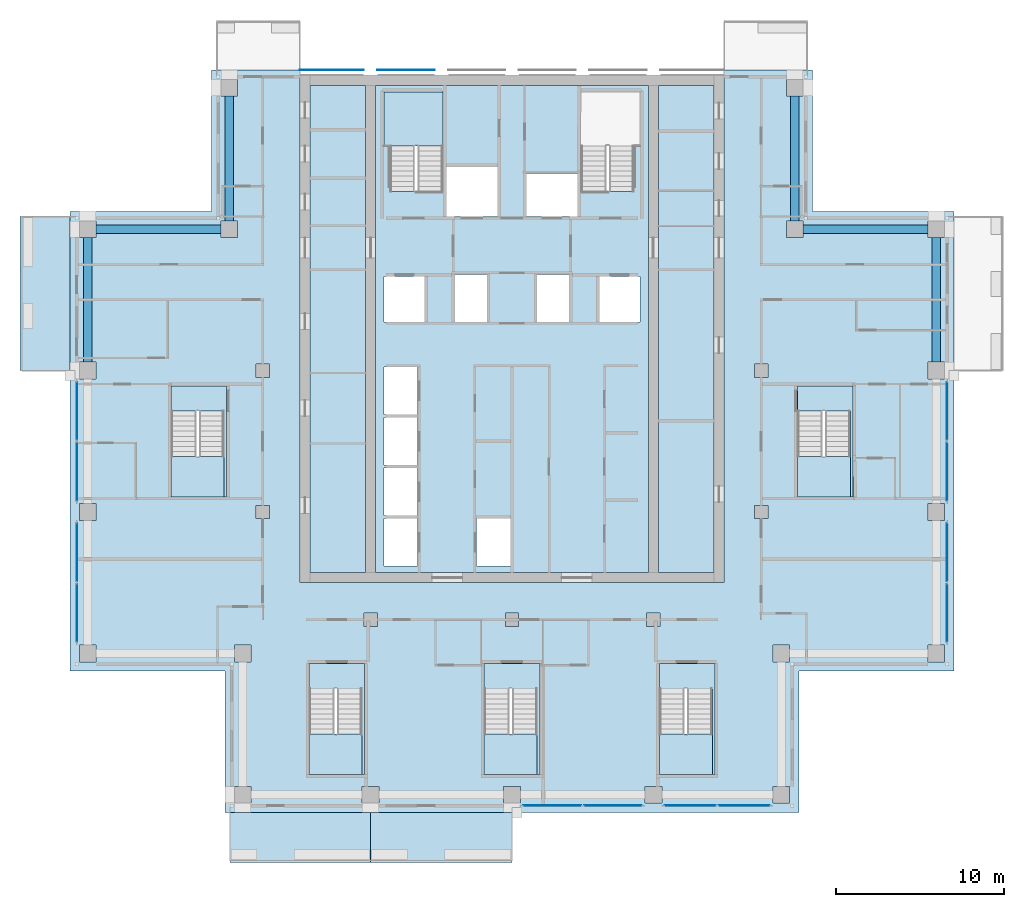
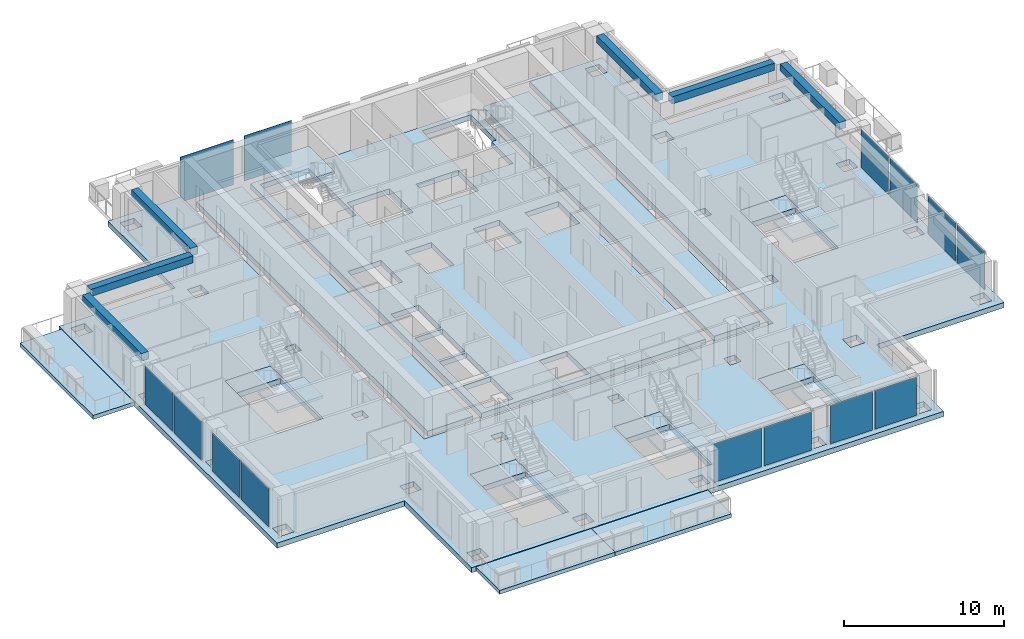
# One storey, part 5 of 15: 18 slabs, 14 plates, 6 beams, 12 elements without a shape of their own.
"""IFC4 building model written with IfcOpenShell, lengths in metres."""

from ifc_helpers import new_model, si_unit, direction, frame, origin, origin_2d, place, context, subcontext, project, spatial, polyline, rectangle, outline, extrude, material, layer, layer_set, material_profile, profile_set, type_object, element, aggregate, save


model = new_model("IFC4")

# Units and contexts
model_context = context("Model", 3, precision=1e-05, world=origin(), true_north=direction((0.0, 1.0)))
body_context = subcontext(model_context, "Body", "Model", "MODEL_VIEW")
ifc_project = project(units=[si_unit("LENGTHUNIT", "METRE"), si_unit("AREAUNIT", "SQUARE_METRE"), si_unit("VOLUMEUNIT", "CUBIC_METRE"), si_unit("PLANEANGLEUNIT", "RADIAN"), si_unit("MASSUNIT", "GRAM", prefix="KILO")], contexts=[model_context])

# Site, building, storey
site_placement = place(None, origin())
site = spatial("IfcSite", under=ifc_project, at=site_placement, CompositionType="ELEMENT")
building_placement = place(site_placement, origin())
building = spatial("IfcBuilding", under=site, at=building_placement, Name="Vermilion Ogive Tower", CompositionType="ELEMENT")
storey_placement = place(building_placement, frame((0.0, 0.0, 210.050048828125)))
storey = spatial("IfcBuildingStorey", under=building, at=storey_placement, Name="L55", CompositionType="ELEMENT", Elevation=210.050048828125)

# Beams
ifc_material_1 = material(Name="Concrete B45", Category="concrete")
ifc_material_profile = material_profile(ifc_material_1, rectangle(XDim=0.5, YDim=0.550048828125, at=origin_2d()), Name="500 x 550")
ifc_profile_set = profile_set([ifc_material_profile], Name="Concrete B45")
beam_type = type_object("IfcBeamType", Name="Edge beam 500 x 550 B45", PredefinedType="BEAM", material=ifc_profile_set)
beam_1_placement = place(storey_placement, frame((25.199951171875, 4.699951171875, 2.77490234375), z_axis=(0.0, 1.0, 0.0), x_axis=(-1.0, 0.0, 0.0)))
element("IfcBeam", 1, at=beam_1_placement, inside=storey, type_object=beam_type, Name="L55-EB-9", PredefinedType="BEAM", context=body_context, shape_type="SweptSolid", body=[
    extrude(rectangle(XDim=0.5, YDim=0.550048828125, at=origin_2d()), origin(), (0.0, 0.0, 1.0), 7.400146484375),
])
for number, where, z_axis, x_axis, name in (
    (2, (24.699951171875, 12.60009765625, 2.77490234375), (-1.0, 0.0, 0.0), (0.0, -1.0, 0.0), "L55-EB-10"),
    (3, (16.800048828125, 13.10009765625, 2.77490234375), (0.0, 1.0, 0.0), (-1.0, 0.0, 0.0), "L55-EB-11"),
    (4, (-16.800048828125, 20.5, 2.77490234375), (0.0, -1.0, 0.0), (1.0, 0.0, 0.0), "L55-EB-12"),
    (5, (-17.300048828125, 12.60009765625, 2.77490234375), (-1.0, 0.0, 0.0), (0.0, -1.0, 0.0), "L55-EB-13"),
):
    element("IfcBeam", number, at=place(storey_placement, frame(where, z_axis=z_axis, x_axis=x_axis)), inside=storey, type_object=beam_type, Name=name, PredefinedType="BEAM", context=body_context, shape_type="SweptSolid", body=[
        extrude(rectangle(XDim=0.5, YDim=0.550048828125, at=origin_2d()), origin(), (0.0, 0.0, 1.0), 7.39990234375),
    ])
beam_2_placement = place(storey_placement, frame((-25.199951171875, 12.10009765625, 2.77490234375), z_axis=(0.0, -1.0, 0.0), x_axis=(1.0, 0.0, 0.0)))
element("IfcBeam", 6, at=beam_2_placement, inside=storey, type_object=beam_type, Name="L55-EB-14", PredefinedType="BEAM", context=body_context, shape_type="SweptSolid", body=[
    extrude(rectangle(XDim=0.5, YDim=0.550048828125, at=origin_2d()), origin(), (0.0, 0.0, 1.0), 7.400146484375),
])

# Slabs
ifc_material_2 = material(Name="Concrete B40", Category="concrete")
ifc_layer_1 = layer(ifc_material_2, 0.300048828125)
ifc_layer_set_1 = layer_set([ifc_layer_1], Name="Balcony slab")
slab_type_1 = type_object("IfcSlabType", Name="Balcony slab", PredefinedType="FLOOR", material=ifc_layer_set_1)
slab_1_placement = place(storey_placement, frame((0.0, 0.0, -0.340087890625)))
element("IfcSlab", 7, at=slab_1_placement, inside=storey, type_object=slab_type_1, Name="Balcony slab S01", PredefinedType="FLOOR", context=body_context, shape_type="SweptSolid", body=[
    extrude(outline(polyline([(-16.75, -25.030029296875), (-8.39990234375, -25.030029296875), (-8.39990234375, -22.050048828125), (-16.75, -22.050048828125), (-16.75, -25.030029296875)])), origin(), (0.0, 0.0, 1.0), 0.300048828125),
])
slab_2_placement = place(storey_placement, frame((0.0, 0.0, -0.340087890625)))
element("IfcSlab", 8, at=slab_2_placement, inside=storey, type_object=slab_type_1, Name="Balcony slab S02", PredefinedType="FLOOR", context=body_context, shape_type="SweptSolid", body=[
    extrude(outline(polyline([(-8.39990234375, -25.030029296875), (0.0, -25.030029296875), (0.0, -22.050048828125), (-8.39990234375, -22.050048828125), (-8.39990234375, -25.030029296875)])), origin(), (0.0, 0.0, 1.0), 0.300048828125),
])
slab_3_placement = place(storey_placement, frame((0.0, 0.0, -0.340087890625)))
element("IfcSlab", 9, at=slab_3_placement, inside=storey, type_object=slab_type_1, Name="Balcony slab W01", PredefinedType="FLOOR", context=body_context, shape_type="SweptSolid", body=[
    extrude(outline(polyline([(-29.22998046875, 13.35009765625), (-29.22998046875, 4.199951171875), (-26.25, 4.199951171875), (-26.25, 13.35009765625), (-29.22998046875, 13.35009765625)])), origin(), (0.0, 0.0, 1.0), 0.300048828125),
])

# Curtain wall, plates
ifc_material_3 = material(Name="Low-iron laminated glazing in aluminium frame", Category="aluminium")
curtain_wall_type = type_object("IfcCurtainWallType", Name="Curtain wall CW7", PredefinedType="NOTDEFINED", material=ifc_material_3)
curtain_wall_1_placement = place(storey_placement, origin())
curtain_wall_1 = element("IfcCurtainWall", 10, at=curtain_wall_1_placement, inside=storey, type_object=curtain_wall_type, Name="Glazed skin S3", PredefinedType="NOTDEFINED")
ifc_material_4 = material(Name="Low-iron laminated glazing in aluminium frame", Category="aluminium")
ifc_layer_2 = layer(ifc_material_4, 0.031982421875)
ifc_layer_set_2 = layer_set([ifc_layer_2], Name="CW7 glazing panel 32")
plate_type_1 = type_object("IfcPlateType", Name="CW7 glazing panel 32", PredefinedType="CURTAIN_PANEL", material=ifc_layer_set_2)
plate_1_placement = place(storey_placement, frame((2.39501953125, -21.64990234375, 0.06005859375), z_axis=(0.0, 0.0, 1.0), x_axis=(1.0, 0.0, 0.0)))
plate_1 = element("IfcPlate", 11, at=plate_1_placement, type_object=plate_type_1, Name="CW7-S3 panel 1.1", PredefinedType="CURTAIN_PANEL", context=body_context, shape_type="SweptSolid", body=[
    extrude(rectangle(XDim=3.429931640625, YDim=0.031982421875, at=origin_2d()), origin(), (0.0, 0.0, 1.0), 2.929931640625),
])
plate_2_placement = place(storey_placement, frame((6.0048828125, -21.64990234375, 0.06005859375), z_axis=(0.0, 0.0, 1.0), x_axis=(1.0, 0.0, 0.0)))
plate_2 = element("IfcPlate", 12, at=plate_2_placement, type_object=plate_type_1, Name="CW7-S3 panel 2.1", PredefinedType="CURTAIN_PANEL", context=body_context, shape_type="SweptSolid", body=[
    extrude(rectangle(XDim=3.429931640625, YDim=0.031982421875, at=origin_2d()), origin(), (0.0, 0.0, 1.0), 2.929931640625),
])
aggregate(curtain_wall_1, [plate_1, plate_2])

curtain_wall_2_placement = place(storey_placement, origin())
curtain_wall_2 = element("IfcCurtainWall", 13, at=curtain_wall_2_placement, inside=storey, type_object=curtain_wall_type, Name="Glazed skin S4", PredefinedType="NOTDEFINED")
plate_3_placement = place(storey_placement, frame((10.594970703125, -21.64990234375, 0.06005859375), z_axis=(0.0, 0.0, 1.0), x_axis=(1.0, 0.0, 0.0)))
plate_3 = element("IfcPlate", 14, at=plate_3_placement, type_object=plate_type_1, Name="CW7-S4 panel 1.1", PredefinedType="CURTAIN_PANEL", context=body_context, shape_type="SweptSolid", body=[
    extrude(rectangle(XDim=3.030029296875, YDim=0.031982421875, at=origin_2d()), origin(), (0.0, 0.0, 1.0), 2.929931640625),
])
plate_4_placement = place(storey_placement, frame((13.804931640625, -21.64990234375, 0.06005859375), z_axis=(0.0, 0.0, 1.0), x_axis=(1.0, 0.0, 0.0)))
plate_4 = element("IfcPlate", 15, at=plate_4_placement, type_object=plate_type_1, Name="CW7-S4 panel 2.1", PredefinedType="CURTAIN_PANEL", context=body_context, shape_type="SweptSolid", body=[
    extrude(rectangle(XDim=3.030029296875, YDim=0.031982421875, at=origin_2d()), origin(), (0.0, 0.0, 1.0), 2.929931640625),
])
aggregate(curtain_wall_2, [plate_3, plate_4])

curtain_wall_3_placement = place(storey_placement, origin())
curtain_wall_3 = element("IfcCurtainWall", 16, at=curtain_wall_3_placement, inside=storey, type_object=curtain_wall_type, Name="Glazed skin E1", PredefinedType="NOTDEFINED")
plate_5_placement = place(storey_placement, frame((25.85009765625, -10.205078125, 0.06005859375), z_axis=(0.0, 0.0, 1.0), x_axis=(0.0, 1.0, 0.0)))
plate_5 = element("IfcPlate", 17, at=plate_5_placement, type_object=plate_type_1, Name="CW7-E1 panel 1.1", PredefinedType="CURTAIN_PANEL", context=body_context, shape_type="SweptSolid", body=[
    extrude(rectangle(XDim=3.429931640625, YDim=0.031982421875, at=origin_2d()), origin(), (0.0, 0.0, 1.0), 2.929931640625),
])
plate_6_placement = place(storey_placement, frame((25.85009765625, -6.594970703125, 0.06005859375), z_axis=(0.0, 0.0, 1.0), x_axis=(0.0, 1.0, 0.0)))
plate_6 = element("IfcPlate", 18, at=plate_6_placement, type_object=plate_type_1, Name="CW7-E1 panel 2.1", PredefinedType="CURTAIN_PANEL", context=body_context, shape_type="SweptSolid", body=[
    extrude(rectangle(XDim=3.429931640625, YDim=0.031982421875, at=origin_2d()), origin(), (0.0, 0.0, 1.0), 2.929931640625),
])
aggregate(curtain_wall_3, [plate_5, plate_6])

curtain_wall_4_placement = place(storey_placement, origin())
curtain_wall_4 = element("IfcCurtainWall", 19, at=curtain_wall_4_placement, inside=storey, type_object=curtain_wall_type, Name="Glazed skin E2", PredefinedType="NOTDEFINED")
plate_7_placement = place(storey_placement, frame((25.85009765625, -1.804931640625, 0.06005859375), z_axis=(0.0, 0.0, 1.0), x_axis=(0.0, 1.0, 0.0)))
plate_7 = element("IfcPlate", 20, at=plate_7_placement, type_object=plate_type_1, Name="CW7-E2 panel 1.1", PredefinedType="CURTAIN_PANEL", context=body_context, shape_type="SweptSolid", body=[
    extrude(rectangle(XDim=3.429931640625, YDim=0.031982421875, at=origin_2d()), origin(), (0.0, 0.0, 1.0), 2.929931640625),
])
plate_8_placement = place(storey_placement, frame((25.85009765625, 1.804931640625, 0.06005859375), z_axis=(0.0, 0.0, 1.0), x_axis=(0.0, 1.0, 0.0)))
plate_8 = element("IfcPlate", 21, at=plate_8_placement, type_object=plate_type_1, Name="CW7-E2 panel 2.1", PredefinedType="CURTAIN_PANEL", context=body_context, shape_type="SweptSolid", body=[
    extrude(rectangle(XDim=3.429931640625, YDim=0.031982421875, at=origin_2d()), origin(), (0.0, 0.0, 1.0), 2.929931640625),
])
aggregate(curtain_wall_4, [plate_7, plate_8])

curtain_wall_5_placement = place(storey_placement, origin())
curtain_wall_5 = element("IfcCurtainWall", 22, at=curtain_wall_5_placement, inside=storey, type_object=curtain_wall_type, Name="Glazed skin W2", PredefinedType="NOTDEFINED")
plate_9_placement = place(storey_placement, frame((-25.85009765625, 1.804931640625, 0.06005859375), z_axis=(0.0, 0.0, 1.0), x_axis=(0.0, -1.0, 0.0)))
plate_9 = element("IfcPlate", 23, at=plate_9_placement, type_object=plate_type_1, Name="CW7-W2 panel 1.1", PredefinedType="CURTAIN_PANEL", context=body_context, shape_type="SweptSolid", body=[
    extrude(rectangle(XDim=3.429931640625, YDim=0.031982421875, at=origin_2d()), origin(), (0.0, 0.0, 1.0), 2.929931640625),
])
plate_10_placement = place(storey_placement, frame((-25.85009765625, -1.804931640625, 0.06005859375), z_axis=(0.0, 0.0, 1.0), x_axis=(0.0, -1.0, 0.0)))
plate_10 = element("IfcPlate", 24, at=plate_10_placement, type_object=plate_type_1, Name="CW7-W2 panel 2.1", PredefinedType="CURTAIN_PANEL", context=body_context, shape_type="SweptSolid", body=[
    extrude(rectangle(XDim=3.429931640625, YDim=0.031982421875, at=origin_2d()), origin(), (0.0, 0.0, 1.0), 2.929931640625),
])
aggregate(curtain_wall_5, [plate_9, plate_10])

curtain_wall_6_placement = place(storey_placement, origin())
curtain_wall_6 = element("IfcCurtainWall", 25, at=curtain_wall_6_placement, inside=storey, type_object=curtain_wall_type, Name="Glazed skin W3", PredefinedType="NOTDEFINED")
plate_11_placement = place(storey_placement, frame((-25.85009765625, -6.594970703125, 0.06005859375), z_axis=(0.0, 0.0, 1.0), x_axis=(0.0, -1.0, 0.0)))
plate_11 = element("IfcPlate", 26, at=plate_11_placement, type_object=plate_type_1, Name="CW7-W3 panel 1.1", PredefinedType="CURTAIN_PANEL", context=body_context, shape_type="SweptSolid", body=[
    extrude(rectangle(XDim=3.429931640625, YDim=0.031982421875, at=origin_2d()), origin(), (0.0, 0.0, 1.0), 2.929931640625),
])
plate_12_placement = place(storey_placement, frame((-25.85009765625, -10.205078125, 0.06005859375), z_axis=(0.0, 0.0, 1.0), x_axis=(0.0, -1.0, 0.0)))
plate_12 = element("IfcPlate", 27, at=plate_12_placement, type_object=plate_type_1, Name="CW7-W3 panel 2.1", PredefinedType="CURTAIN_PANEL", context=body_context, shape_type="SweptSolid", body=[
    extrude(rectangle(XDim=3.429931640625, YDim=0.031982421875, at=origin_2d()), origin(), (0.0, 0.0, 1.0), 2.929931640625),
])
aggregate(curtain_wall_6, [plate_11, plate_12])

# Slabs
ifc_material_5 = material(Name="Concrete B40", Category="concrete")
ifc_layer_3 = layer(ifc_material_5, 0.39990234375)
ifc_layer_set_3 = layer_set([ifc_layer_3], Name="Core floor slab 400 B40")
slab_type_2 = type_object("IfcSlabType", Name="Core floor slab 400 B40", PredefinedType="FLOOR", material=ifc_layer_set_3)
slab_4_placement = place(storey_placement, frame((0.0, 0.0, -0.400146484375)))
element("IfcSlab", 28, at=slab_4_placement, inside=storey, type_object=slab_type_2, Name="L55-CK-FS1", PredefinedType="FLOOR", context=body_context, shape_type="SweptSolid", body=[
    extrude(outline(polyline([(-11.99609375, 21.14599609375), (-8.7041015625, 21.14599609375), (-8.7041015625, -7.7958984375), (-11.99609375, -7.7958984375), (-11.99609375, 21.14599609375)])), origin(), (0.0, 0.0, 1.0), 0.400146484375),
])
slab_5_placement = place(storey_placement, frame((0.0, 0.0, -0.400146484375)))
element("IfcSlab", 29, at=slab_5_placement, inside=storey, type_object=slab_type_2, Name="L55-CK-FS2", PredefinedType="FLOOR", context=body_context, shape_type="SweptSolid", body=[
    extrude(outline(polyline([(-8.095947265625, -7.7958984375), (8.095947265625, -7.7958984375), (8.095947265625, 21.14599609375), (-8.095947265625, 21.14599609375), (-8.095947265625, -7.7958984375)]), holes=[polyline([(-7.60009765625, -7.39990234375), (-7.60009765625, -4.60009765625), (-5.60009765625, -4.60009765625), (-5.60009765625, -7.39990234375), (-7.60009765625, -7.39990234375)]), polyline([(-7.60009765625, -4.39990234375), (-7.60009765625, -1.60009765625), (-5.60009765625, -1.60009765625), (-5.60009765625, -4.39990234375), (-7.60009765625, -4.39990234375)]), polyline([(-7.60009765625, -1.39990234375), (-7.60009765625, 1.39990234375), (-5.60009765625, 1.39990234375), (-5.60009765625, -1.39990234375), (-7.60009765625, -1.39990234375)]), polyline([(-7.60009765625, 1.60009765625), (-7.60009765625, 4.39990234375), (-5.60009765625, 4.39990234375), (-5.60009765625, 1.60009765625), (-7.60009765625, 1.60009765625)]), polyline([(-7.60009765625, 7.10009765625), (-7.60009765625, 9.800048828125), (-5.199951171875, 9.800048828125), (-5.199951171875, 7.10009765625), (-7.60009765625, 7.10009765625)]), polyline([(-3.39990234375, 9.89990234375), (-1.5, 9.89990234375), (-1.5, 7.10009765625), (-3.39990234375, 7.10009765625), (-3.39990234375, 9.89990234375)]), polyline([(-7.60009765625, 17.550048828125), (-7.60009765625, 20.75), (-4.10009765625, 20.75), (-4.10009765625, 14.85205078125), (-5.60009765625, 14.85205078125), (-5.60009765625, 14.85009765625), (-5.75, 14.85009765625), (-5.75, 14.85205078125), (-7.25, 14.85205078125), (-7.25, 17.550048828125), (-7.60009765625, 17.550048828125)]), polyline([(-2.10009765625, -7.39990234375), (-2.10009765625, -4.60009765625), (-0.10009765625, -4.60009765625), (-0.10009765625, -7.39990234375), (-2.10009765625, -7.39990234375)]), polyline([(5.199951171875, 7.10009765625), (5.199951171875, 9.800048828125), (7.60009765625, 9.800048828125), (7.60009765625, 7.10009765625), (5.199951171875, 7.10009765625)]), polyline([(1.5, 7.10009765625), (1.5, 9.89990234375), (3.39990234375, 9.89990234375), (3.39990234375, 7.10009765625), (1.5, 7.10009765625)]), polyline([(0.85009765625, 13.35009765625), (0.85009765625, 15.89990234375), (3.89990234375, 15.89990234375), (3.89990234375, 13.35009765625), (0.85009765625, 13.35009765625)]), polyline([(-3.89990234375, 16.300048828125), (-0.85009765625, 16.300048828125), (-0.85009765625, 13.35009765625), (-3.89990234375, 13.35009765625), (-3.89990234375, 16.300048828125)]), polyline([(5.75, 14.85009765625), (5.60009765625, 14.85009765625), (5.60009765625, 14.85205078125), (4.10009765625, 14.85205078125), (4.10009765625, 17.550048828125), (4.074951171875, 17.550048828125), (4.074951171875, 20.75), (7.60009765625, 20.75), (7.60009765625, 17.550048828125), (7.25, 17.550048828125), (7.25, 14.85205078125), (5.75, 14.85205078125), (5.75, 14.85009765625)])]), origin(), (0.0, 0.0, 1.0), 0.400146484375),
])
slab_6_placement = place(storey_placement, frame((0.0, 0.0, -0.400146484375)))
element("IfcSlab", 30, at=slab_6_placement, inside=storey, type_object=slab_type_2, Name="L55-CK-FS3", PredefinedType="FLOOR", context=body_context, shape_type="SweptSolid", body=[
    extrude(outline(polyline([(11.99609375, 21.14599609375), (11.99609375, -7.7958984375), (8.7041015625, -7.7958984375), (8.7041015625, 21.14599609375), (11.99609375, 21.14599609375)])), origin(), (0.0, 0.0, 1.0), 0.400146484375),
])
slab_7_placement = place(storey_placement, frame((0.0, 0.0, -0.400146484375)))
element("IfcSlab", 31, at=slab_7_placement, inside=storey, type_object=slab_type_2, Name="L55-SF-ST3-1", PredefinedType="FLOOR", context=body_context, shape_type="SweptSolid", body=[
    extrude(outline(polyline([(-12.050048828125, -13.199951171875), (-12.050048828125, -14.701904296875), (-10.550048828125, -14.701904296875), (-10.550048828125, -14.699951171875), (-10.39990234375, -14.699951171875), (-10.39990234375, -14.701904296875), (-8.89990234375, -14.701904296875), (-8.89990234375, -19.800048828125), (-8.75, -19.800048828125), (-8.75, -13.199951171875), (-12.050048828125, -13.199951171875)])), origin(), (0.0, 0.0, 1.0), 0.400146484375),
])
slab_8_placement = place(storey_placement, frame((0.0, 0.0, -0.400146484375)))
element("IfcSlab", 32, at=slab_8_placement, inside=storey, type_object=slab_type_2, Name="L55-SF-ST4-1", PredefinedType="FLOOR", context=body_context, shape_type="SweptSolid", body=[
    extrude(outline(polyline([(-1.64990234375, -13.199951171875), (-1.64990234375, -14.701904296875), (-0.14990234375, -14.701904296875), (-0.14990234375, -14.699951171875), (0.0, -14.699951171875), (0.0, -14.701904296875), (1.5, -14.701904296875), (1.5, -19.800048828125), (1.64990234375, -19.800048828125), (1.64990234375, -13.199951171875), (-1.64990234375, -13.199951171875)])), origin(), (0.0, 0.0, 1.0), 0.400146484375),
])
slab_9_placement = place(storey_placement, frame((0.0, 0.0, -0.400146484375)))
element("IfcSlab", 33, at=slab_9_placement, inside=storey, type_object=slab_type_2, Name="L55-SF-ST5-1", PredefinedType="FLOOR", context=body_context, shape_type="SweptSolid", body=[
    extrude(outline(polyline([(8.75, -13.199951171875), (8.75, -14.701904296875), (10.25, -14.701904296875), (10.25, -14.699951171875), (10.39990234375, -14.699951171875), (10.39990234375, -14.701904296875), (11.89990234375, -14.701904296875), (11.89990234375, -19.800048828125), (12.050048828125, -19.800048828125), (12.050048828125, -13.199951171875), (8.75, -13.199951171875)])), origin(), (0.0, 0.0, 1.0), 0.400146484375),
])
slab_10_placement = place(storey_placement, frame((0.0, 0.0, -0.400146484375)))
element("IfcSlab", 34, at=slab_10_placement, inside=storey, type_object=slab_type_2, Name="L55-SF-ST8-1", PredefinedType="FLOOR", context=body_context, shape_type="SweptSolid", body=[
    extrude(outline(polyline([(16.949951171875, 3.300048828125), (16.949951171875, 1.798095703125), (18.449951171875, 1.798095703125), (18.449951171875, 1.800048828125), (18.60009765625, 1.800048828125), (18.60009765625, 1.798095703125), (20.10009765625, 1.798095703125), (20.10009765625, -3.300048828125), (20.25, -3.300048828125), (20.25, 3.300048828125), (16.949951171875, 3.300048828125)])), origin(), (0.0, 0.0, 1.0), 0.400146484375),
])
slab_11_placement = place(storey_placement, frame((0.0, 0.0, -0.400146484375)))
element("IfcSlab", 35, at=slab_11_placement, inside=storey, type_object=slab_type_2, Name="L55-SF-ST9-1", PredefinedType="FLOOR", context=body_context, shape_type="SweptSolid", body=[
    extrude(outline(polyline([(-20.25, 3.300048828125), (-20.25, 1.798095703125), (-18.75, 1.798095703125), (-18.75, 1.800048828125), (-18.60009765625, 1.800048828125), (-18.60009765625, 1.798095703125), (-17.10009765625, 1.798095703125), (-17.10009765625, -3.300048828125), (-16.949951171875, -3.300048828125), (-16.949951171875, 3.300048828125), (-20.25, 3.300048828125)])), origin(), (0.0, 0.0, 1.0), 0.400146484375),
])

# Plates
ifc_material_6 = material(Name="Low-iron laminated glazing in aluminium frame", Category="aluminium")
ifc_layer_4 = layer(ifc_material_6, 0.031982421875)
ifc_layer_set_4 = layer_set([ifc_layer_4], Name="Glazed rainscreen sheet 32")
plate_type_2 = type_object("IfcPlateType", Name="Glazed rainscreen sheet 32", PredefinedType="SHEET", material=ifc_layer_set_4)
plate_13_placement = place(storey_placement, frame((-10.7099609375, 22.06591796875, -0.39990234375), z_axis=(0.0, 0.0, 1.0), x_axis=(1.0, 0.0, 0.0)))
element("IfcPlate", 36, at=plate_13_placement, inside=storey, type_object=plate_type_2, Name="Glazed rainscreen sheet N1", PredefinedType="SHEET", context=body_context, shape_type="SweptSolid", body=[
    extrude(rectangle(XDim=3.820068359375, YDim=0.031982421875, at=origin_2d()), origin(), (0.0, 0.0, 1.0), 3.449951171875),
])
plate_14_placement = place(storey_placement, frame((-6.300048828125, 22.06591796875, -0.39990234375), z_axis=(0.0, 0.0, 1.0), x_axis=(1.0, 0.0, 0.0)))
element("IfcPlate", 37, at=plate_14_placement, inside=storey, type_object=plate_type_2, Name="Glazed rainscreen sheet N2", PredefinedType="SHEET", context=body_context, shape_type="SweptSolid", body=[
    extrude(rectangle(XDim=3.39990234375, YDim=0.031982421875, at=origin_2d()), origin(), (0.0, 0.0, 1.0), 3.449951171875),
])

# Slab
ifc_material_7 = material(Name="Concrete B45", Category="concrete")
ifc_layer_5 = layer(ifc_material_7, 0.39990234375)
ifc_layer_set_5 = layer_set([ifc_layer_5], Name="Post-tensioned flat plate 400 B45")
slab_type_3 = type_object("IfcSlabType", Name="Post-tensioned flat plate 400 B45", PredefinedType="FLOOR", material=ifc_layer_set_5)
slab_12_placement = place(storey_placement, frame((0.0, 0.0, -0.400146484375)))
element("IfcSlab", 38, at=slab_12_placement, inside=storey, type_object=slab_type_3, Name="L55-SL-1", PredefinedType="FLOOR", context=body_context, shape_type="SweptSolid", body=[
    extrude(outline(polyline([(-26.25, -13.64990234375), (-17.050048828125, -13.64990234375), (-17.050048828125, -22.050048828125), (17.050048828125, -22.050048828125), (17.050048828125, -13.64990234375), (26.25, -13.64990234375), (26.25, 13.64990234375), (17.85009765625, 13.64990234375), (17.85009765625, 22.050048828125), (12.60009765625, 22.050048828125), (12.60009765625, -8.39990234375), (-12.60009765625, -8.39990234375), (-12.60009765625, 22.050048828125), (-17.85009765625, 22.050048828125), (-17.85009765625, 13.64990234375), (-26.25, 13.64990234375), (-26.25, -13.64990234375)]), holes=[polyline([(25.699951171875, -3.699951171875), (25.699951171875, -4.699951171875), (24.699951171875, -4.699951171875), (24.699951171875, -3.699951171875), (25.699951171875, -3.699951171875)]), polyline([(25.699951171875, -12.10009765625), (25.699951171875, -13.10009765625), (24.699951171875, -13.10009765625), (24.699951171875, -12.10009765625), (25.699951171875, -12.10009765625)]), polyline([(25.699951171875, 12.10009765625), (24.699951171875, 12.10009765625), (24.699951171875, 13.10009765625), (25.699951171875, 13.10009765625), (25.699951171875, 12.10009765625)]), polyline([(25.699951171875, 3.699951171875), (24.699951171875, 3.699951171875), (24.699951171875, 4.699951171875), (25.699951171875, 4.699951171875), (25.699951171875, 3.699951171875)]), polyline([(20.25, -3.2998046875), (20.25, -3.300048828125), (16.949951171875, -3.300048828125), (16.949951171875, 3.300048828125), (20.25, 3.300048828125), (20.25, -0.89990234375), (20.275146484375, -0.89990234375), (20.275146484375, -3.2998046875), (20.25, -3.2998046875)]), polyline([(17.300048828125, 13.10009765625), (17.300048828125, 12.10009765625), (16.300048828125, 12.10009765625), (16.300048828125, 13.10009765625), (17.300048828125, 13.10009765625)]), polyline([(17.300048828125, 20.5), (16.300048828125, 20.5), (16.300048828125, 21.5), (17.300048828125, 21.5), (17.300048828125, 20.5)]), polyline([(16.5, -12.10009765625), (16.5, -13.10009765625), (15.5, -13.10009765625), (15.5, -12.10009765625), (16.5, -12.10009765625)]), polyline([(16.5, -20.5), (16.5, -21.5), (15.5, -21.5), (15.5, -20.5), (16.5, -20.5)]), polyline([(15.199951171875, 4.60009765625), (15.199951171875, 3.800048828125), (14.39990234375, 3.800048828125), (14.39990234375, 4.60009765625), (15.199951171875, 4.60009765625)]), polyline([(15.199951171875, -4.60009765625), (14.39990234375, -4.60009765625), (14.39990234375, -3.800048828125), (15.199951171875, -3.800048828125), (15.199951171875, -4.60009765625)]), polyline([(12.050048828125, -13.199951171875), (12.050048828125, -19.800048828125), (8.75, -19.800048828125), (8.75, -13.199951171875), (12.050048828125, -13.199951171875)]), polyline([(8.89990234375, -20.5), (8.89990234375, -21.5), (7.89990234375, -21.5), (7.89990234375, -20.5), (8.89990234375, -20.5)]), polyline([(8.800048828125, -11.0), (8.0, -11.0), (8.0, -10.199951171875), (8.800048828125, -10.199951171875), (8.800048828125, -11.0)]), polyline([(1.64990234375, -13.199951171875), (1.64990234375, -19.800048828125), (-1.64990234375, -19.800048828125), (-1.64990234375, -13.199951171875), (1.64990234375, -13.199951171875)]), polyline([(0.5, -20.5), (0.5, -21.5), (-0.5, -21.5), (-0.5, -20.5), (0.5, -20.5)]), polyline([(0.39990234375, -10.199951171875), (0.39990234375, -11.0), (-0.39990234375, -11.0), (-0.39990234375, -10.199951171875), (0.39990234375, -10.199951171875)]), polyline([(-7.89990234375, -20.5), (-7.89990234375, -21.5), (-8.89990234375, -21.5), (-8.89990234375, -20.5), (-7.89990234375, -20.5)]), polyline([(-8.0, -10.199951171875), (-8.0, -11.0), (-8.800048828125, -11.0), (-8.800048828125, -10.199951171875), (-8.0, -10.199951171875)]), polyline([(-8.75, -13.199951171875), (-8.75, -19.800048828125), (-12.050048828125, -19.800048828125), (-12.050048828125, -13.199951171875), (-8.75, -13.199951171875)]), polyline([(-14.39990234375, 4.60009765625), (-14.39990234375, 3.800048828125), (-15.199951171875, 3.800048828125), (-15.199951171875, 4.60009765625), (-14.39990234375, 4.60009765625)]), polyline([(-14.39990234375, -4.60009765625), (-15.199951171875, -4.60009765625), (-15.199951171875, -3.800048828125), (-14.39990234375, -3.800048828125), (-14.39990234375, -4.60009765625)]), polyline([(-15.5, -12.10009765625), (-15.5, -13.10009765625), (-16.5, -13.10009765625), (-16.5, -12.10009765625), (-15.5, -12.10009765625)]), polyline([(-15.5, -20.5), (-15.5, -21.5), (-16.5, -21.5), (-16.5, -20.5), (-15.5, -20.5)]), polyline([(-16.300048828125, 13.10009765625), (-16.300048828125, 12.10009765625), (-17.300048828125, 12.10009765625), (-17.300048828125, 13.10009765625), (-16.300048828125, 13.10009765625)]), polyline([(-16.300048828125, 20.5), (-17.300048828125, 20.5), (-17.300048828125, 21.5), (-16.300048828125, 21.5), (-16.300048828125, 20.5)]), polyline([(-16.949951171875, 3.300048828125), (-16.949951171875, -3.300048828125), (-20.25, -3.300048828125), (-20.25, 3.300048828125), (-16.949951171875, 3.300048828125)]), polyline([(-24.699951171875, 3.699951171875), (-25.699951171875, 3.699951171875), (-25.699951171875, 4.699951171875), (-24.699951171875, 4.699951171875), (-24.699951171875, 3.699951171875)]), polyline([(-24.699951171875, 13.10009765625), (-24.699951171875, 12.10009765625), (-25.699951171875, 12.10009765625), (-25.699951171875, 13.10009765625), (-24.699951171875, 13.10009765625)]), polyline([(-24.699951171875, -3.699951171875), (-24.699951171875, -4.699951171875), (-25.699951171875, -4.699951171875), (-25.699951171875, -3.699951171875), (-24.699951171875, -3.699951171875)]), polyline([(-24.699951171875, -12.10009765625), (-24.699951171875, -13.10009765625), (-25.699951171875, -13.10009765625), (-25.699951171875, -12.10009765625), (-24.699951171875, -12.10009765625)])]), origin(), (0.0, 0.0, 1.0), 0.400146484375),
])

# Stair, slab
ifc_material_8 = material(Name="Concrete B40", Category="concrete")
stair_type = type_object("IfcStairType", Name="Exit stair 1500", PredefinedType="HALF_TURN_STAIR", material=ifc_material_8)
stair_1_placement = place(storey_placement, origin())
stair_1 = element("IfcStair", 39, at=stair_1_placement, inside=storey, type_object=stair_type, Name="L55 Exit Stair ST1", PredefinedType="HALF_TURN_STAIR")
ifc_material_9 = material(Name="Concrete B40", Category="concrete")
ifc_layer_6 = layer(ifc_material_9, 0.199951171875)
ifc_layer_set_6 = layer_set([ifc_layer_6], Name="Stair landing 200")
slab_type_4 = type_object("IfcSlabType", Name="Stair landing 200", PredefinedType="LANDING", material=ifc_layer_set_6)
slab_13_placement = place(storey_placement, frame((0.0, 0.0, 1.52490234375)))
slab_13 = element("IfcSlab", 40, at=slab_13_placement, type_object=slab_type_4, Name="ST1 landing 1", PredefinedType="LANDING", context=body_context, shape_type="SweptSolid", body=[
    extrude(outline(polyline([(-7.60009765625, 17.550048828125), (-7.25, 17.550048828125), (-7.25, 17.548095703125), (-5.75, 17.548095703125), (-5.75, 17.550048828125), (-5.60009765625, 17.550048828125), (-5.60009765625, 17.548095703125), (-4.10009765625, 17.548095703125), (-4.10009765625, 20.75), (-7.60009765625, 20.75), (-7.60009765625, 17.550048828125)])), origin(), (0.0, 0.0, 1.0), 0.199951171875),
])
aggregate(stair_1, [slab_13])

stair_2_placement = place(storey_placement, origin())
stair_2 = element("IfcStair", 41, at=stair_2_placement, inside=storey, type_object=stair_type, Name="L55 Exit Stair ST3", PredefinedType="HALF_TURN_STAIR")
slab_14_placement = place(storey_placement, frame((0.0, 0.0, 1.52490234375)))
slab_14 = element("IfcSlab", 42, at=slab_14_placement, type_object=slab_type_4, Name="ST3 landing 1", PredefinedType="LANDING", context=body_context, shape_type="SweptSolid", body=[
    extrude(outline(polyline([(-8.75, -17.39990234375), (-8.89990234375, -17.39990234375), (-8.89990234375, -17.39794921875), (-10.39990234375, -17.39794921875), (-10.39990234375, -17.39990234375), (-10.550048828125, -17.39990234375), (-10.550048828125, -17.39794921875), (-12.050048828125, -17.39794921875), (-12.050048828125, -19.800048828125), (-8.75, -19.800048828125), (-8.75, -17.39990234375)])), origin(), (0.0, 0.0, 1.0), 0.199951171875),
])
aggregate(stair_2, [slab_14])

stair_3_placement = place(storey_placement, origin())
stair_3 = element("IfcStair", 43, at=stair_3_placement, inside=storey, type_object=stair_type, Name="L55 Exit Stair ST4", PredefinedType="HALF_TURN_STAIR")
slab_15_placement = place(storey_placement, frame((0.0, 0.0, 1.52490234375)))
slab_15 = element("IfcSlab", 44, at=slab_15_placement, type_object=slab_type_4, Name="ST4 landing 1", PredefinedType="LANDING", context=body_context, shape_type="SweptSolid", body=[
    extrude(outline(polyline([(1.64990234375, -17.39990234375), (1.5, -17.39990234375), (1.5, -17.39794921875), (0.0, -17.39794921875), (0.0, -17.39990234375), (-0.14990234375, -17.39990234375), (-0.14990234375, -17.39794921875), (-1.64990234375, -17.39794921875), (-1.64990234375, -19.7998046875), (1.64990234375, -19.7998046875), (1.64990234375, -17.39990234375)])), origin(), (0.0, 0.0, 1.0), 0.199951171875),
])
aggregate(stair_3, [slab_15])

stair_4_placement = place(storey_placement, origin())
stair_4 = element("IfcStair", 45, at=stair_4_placement, inside=storey, type_object=stair_type, Name="L55 Exit Stair ST5", PredefinedType="HALF_TURN_STAIR")
slab_16_placement = place(storey_placement, frame((0.0, 0.0, 1.52490234375)))
slab_16 = element("IfcSlab", 46, at=slab_16_placement, type_object=slab_type_4, Name="ST5 landing 1", PredefinedType="LANDING", context=body_context, shape_type="SweptSolid", body=[
    extrude(outline(polyline([(12.050048828125, -17.39990234375), (11.89990234375, -17.39990234375), (11.89990234375, -17.39794921875), (10.39990234375, -17.39794921875), (10.39990234375, -17.39990234375), (10.25, -17.39990234375), (10.25, -17.39794921875), (8.75, -17.39794921875), (8.75, -19.800048828125), (12.050048828125, -19.800048828125), (12.050048828125, -17.39990234375)])), origin(), (0.0, 0.0, 1.0), 0.199951171875),
])
aggregate(stair_4, [slab_16])

stair_5_placement = place(storey_placement, origin())
stair_5 = element("IfcStair", 47, at=stair_5_placement, inside=storey, type_object=stair_type, Name="L55 Exit Stair ST8", PredefinedType="HALF_TURN_STAIR")
slab_17_placement = place(storey_placement, frame((0.0, 0.0, 1.52490234375)))
slab_17 = element("IfcSlab", 48, at=slab_17_placement, type_object=slab_type_4, Name="ST8 landing 1", PredefinedType="LANDING", context=body_context, shape_type="SweptSolid", body=[
    extrude(outline(polyline([(20.275146484375, -0.89990234375), (20.10009765625, -0.89990234375), (20.10009765625, -0.89794921875), (18.60009765625, -0.89794921875), (18.60009765625, -0.89990234375), (18.449951171875, -0.89990234375), (18.449951171875, -0.89794921875), (16.949951171875, -0.89794921875), (16.949951171875, -0.902099609375), (16.9501953125, -0.902099609375), (16.9501953125, -3.2998046875), (20.275146484375, -3.2998046875), (20.275146484375, -0.89990234375)])), origin(), (0.0, 0.0, 1.0), 0.199951171875),
])
aggregate(stair_5, [slab_17])

stair_6_placement = place(storey_placement, origin())
stair_6 = element("IfcStair", 49, at=stair_6_placement, inside=storey, type_object=stair_type, Name="L55 Exit Stair ST9", PredefinedType="HALF_TURN_STAIR")
slab_18_placement = place(storey_placement, frame((0.0, 0.0, 1.52490234375)))
slab_18 = element("IfcSlab", 50, at=slab_18_placement, type_object=slab_type_4, Name="ST9 landing 1", PredefinedType="LANDING", context=body_context, shape_type="SweptSolid", body=[
    extrude(outline(polyline([(-16.9501953125, -0.89990234375), (-17.10009765625, -0.89990234375), (-17.10009765625, -0.89794921875), (-18.60009765625, -0.89794921875), (-18.60009765625, -0.89990234375), (-18.75, -0.89990234375), (-18.75, -0.89794921875), (-20.25, -0.89794921875), (-20.25, -0.89990234375), (-20.25, -0.89990234375), (-20.25, -3.2998046875), (-16.9501953125, -3.2998046875), (-16.9501953125, -0.89990234375)])), origin(), (0.0, 0.0, 1.0), 0.199951171875),
])
aggregate(stair_6, [slab_18])

save(model, "model.ifc")
